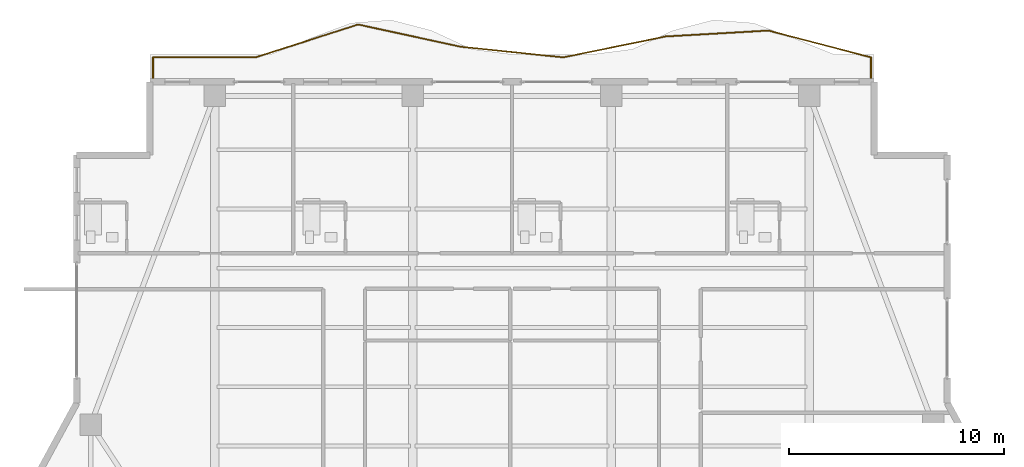
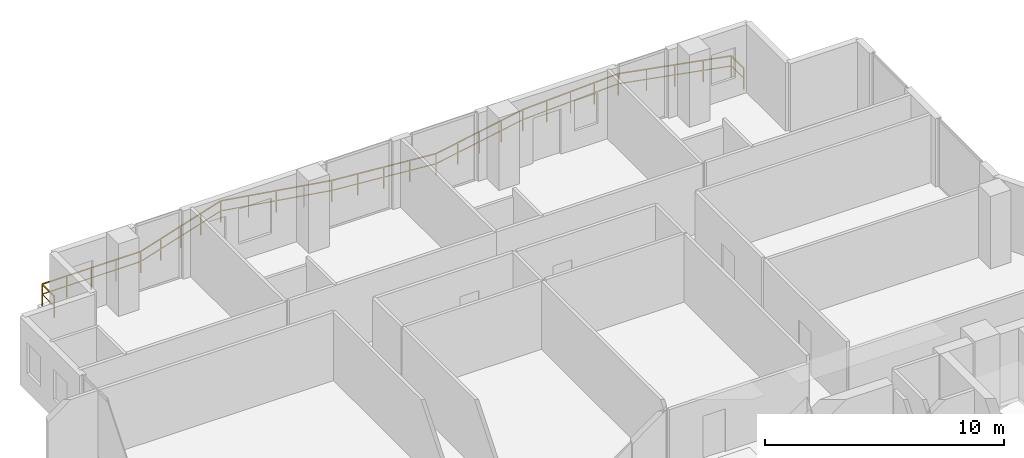
# One storey, part 24 of 25: 1 railing.
"""IFC4 building model written with IfcOpenShell, lengths in metres."""

from ifc_helpers import new_model, si_unit, direction, frame, origin, origin_2d, place, context, subcontext, project, spatial, rectangle, extrude, material, type_object, element, save


model = new_model("IFC4")

# Units and contexts
model_context = context("Model", 3, precision=1e-05, world=origin(), true_north=direction((0.0, 1.0)))
body_context = subcontext(model_context, "Body", "Model", "MODEL_VIEW")
ifc_project = project(units=[si_unit("LENGTHUNIT", "METRE"), si_unit("AREAUNIT", "SQUARE_METRE"), si_unit("VOLUMEUNIT", "CUBIC_METRE"), si_unit("PLANEANGLEUNIT", "RADIAN"), si_unit("MASSUNIT", "GRAM", prefix="KILO")], contexts=[model_context])

# Site, building, storey
site_placement = place(None, origin())
site = spatial("IfcSite", under=ifc_project, at=site_placement, CompositionType="ELEMENT")
building_placement = place(site_placement, origin())
building = spatial("IfcBuilding", under=site, at=building_placement, Name="Zuhayl Quay Hotel", CompositionType="ELEMENT")
storey_placement = place(building_placement, frame((0.0, 0.0, 258.14990234375)))
storey = spatial("IfcBuildingStorey", under=building, at=storey_placement, Name="L65", CompositionType="ELEMENT", Elevation=258.14990234375)

# Railing
ifc_material = material(Name="Anodised Aluminium and Laminated Glass", Category="aluminium")
railing_type = type_object("IfcRailingType", Name="RL_EXT_BAL_1100", PredefinedType="BALUSTRADE", material=ifc_material)
railing_placement = place(storey_placement, frame((-16.659912109375, 39.1201171875, 0.0)))
element("IfcRailing", 1, at=railing_placement, inside=storey, type_object=railing_type, Name="L65 Balcony and Terrace Guard GR_L65_BAL_N", PredefinedType="BALUSTRADE", context=body_context, shape_type="SweptSolid", body=[
    extrude(rectangle(XDim=0.048095703125, YDim=0.048095703125, at=origin_2d()), frame((0.0, 0.0, 1.09619140625), z_axis=(0.0, 1.0, 0.0), x_axis=(-1.0, 0.0, 0.0)), (0.0, 0.0, 1.0), 1.019775390625),
    extrude(rectangle(XDim=0.0361328125, YDim=0.0361328125, at=origin_2d()), frame((0.0, 0.0, 0.58251953125), z_axis=(0.0, 1.0, 0.0), x_axis=(-1.0, 0.0, 0.0)), (0.0, 0.0, 1.0), 1.019775390625),
    extrude(rectangle(XDim=0.048095703125, YDim=0.048095703125, at=origin_2d()), frame((0.0, 1.019775390625, 1.09619140625), z_axis=(1.0, 0.0, 0.0), x_axis=(0.0, 1.0, 0.0)), (0.0, 0.0, 1.0), 4.760009765625),
    extrude(rectangle(XDim=0.0361328125, YDim=0.0361328125, at=origin_2d()), frame((0.0, 1.019775390625, 0.58251953125), z_axis=(1.0, 0.0, 0.0), x_axis=(0.0, 1.0, 0.0)), (0.0, 0.0, 1.0), 4.760009765625),
    extrude(rectangle(XDim=0.048095703125, YDim=0.048095703125, at=origin_2d()), frame((4.760009765625, 1.019775390625, 1.09619140625), z_axis=(0.952396351433, 0.304862575232, 0.0), x_axis=(-0.304862575232, 0.952396351433, 0.0)), (0.0, 0.0, 1.0), 4.998046875),
    extrude(rectangle(XDim=0.0361328125, YDim=0.0361328125, at=origin_2d()), frame((4.760009765625, 1.019775390625, 0.58251953125), z_axis=(0.952396351433, 0.304862575232, 0.0), x_axis=(-0.304862575232, 0.952396351433, 0.0)), (0.0, 0.0, 1.0), 4.998046875),
    extrude(rectangle(XDim=0.048095703125, YDim=0.048095703125, at=origin_2d()), frame((9.52001953125, 2.54345703125, 1.09619140625), z_axis=(0.977264494007, -0.21202384006, 0.0), x_axis=(0.21202384006, 0.977264494007, 0.0)), (0.0, 0.0, 1.0), 4.870849609375),
    extrude(rectangle(XDim=0.0361328125, YDim=0.0361328125, at=origin_2d()), frame((9.52001953125, 2.54345703125, 0.58251953125), z_axis=(0.977264494007, -0.21202384006, 0.0), x_axis=(0.21202384006, 0.977264494007, 0.0)), (0.0, 0.0, 1.0), 4.870849609375),
    extrude(rectangle(XDim=0.048095703125, YDim=0.048095703125, at=origin_2d()), frame((14.280029296875, 1.5107421875, 1.09619140625), z_axis=(0.994722183362, -0.102604960543, 0.0), x_axis=(0.102604960543, 0.994722183362, 0.0)), (0.0, 0.0, 1.0), 4.784912109375),
    extrude(rectangle(XDim=0.0361328125, YDim=0.0361328125, at=origin_2d()), frame((14.280029296875, 1.5107421875, 0.58251953125), z_axis=(0.994722183362, -0.102604960543, 0.0), x_axis=(0.102604960543, 0.994722183362, 0.0)), (0.0, 0.0, 1.0), 4.784912109375),
    extrude(rectangle(XDim=0.048095703125, YDim=0.048095703125, at=origin_2d()), frame((19.039794921875, 1.019775390625, 1.09619140625), z_axis=(0.979882555409, 0.199574992436, 0.0), x_axis=(-0.199574992436, 0.979882555409, 0.0)), (0.0, 0.0, 1.0), 4.857666015625),
    extrude(rectangle(XDim=0.0361328125, YDim=0.0361328125, at=origin_2d()), frame((19.039794921875, 1.019775390625, 0.58251953125), z_axis=(0.979882555409, 0.199574992436, 0.0), x_axis=(-0.199574992436, 0.979882555409, 0.0)), (0.0, 0.0, 1.0), 4.857666015625),
    extrude(rectangle(XDim=0.048095703125, YDim=0.048095703125, at=origin_2d()), frame((23.7998046875, 1.9892578125, 1.09619140625), z_axis=(0.998362907281, 0.057197074803, 0.0), x_axis=(-0.057197074803, 0.998362907281, 0.0)), (0.0, 0.0, 1.0), 4.767822265625),
    extrude(rectangle(XDim=0.0361328125, YDim=0.0361328125, at=origin_2d()), frame((23.7998046875, 1.9892578125, 0.58251953125), z_axis=(0.998362907281, 0.057197074803, 0.0), x_axis=(-0.057197074803, 0.998362907281, 0.0)), (0.0, 0.0, 1.0), 4.767822265625),
    extrude(rectangle(XDim=0.048095703125, YDim=0.048095703125, at=origin_2d()), frame((28.559814453125, 2.261962890625, 1.09619140625), z_axis=(0.967595133756, -0.252506746707, 0.0), x_axis=(0.252506746707, 0.967595133756, 0.0)), (0.0, 0.0, 1.0), 4.91943359375),
    extrude(rectangle(XDim=0.0361328125, YDim=0.0361328125, at=origin_2d()), frame((28.559814453125, 2.261962890625, 0.58251953125), z_axis=(0.967595133756, -0.252506746707, 0.0), x_axis=(0.252506746707, 0.967595133756, 0.0)), (0.0, 0.0, 1.0), 4.91943359375),
    extrude(rectangle(XDim=0.048095703125, YDim=0.048095703125, at=origin_2d()), frame((33.31982421875, 1.019775390625, 1.09619140625), z_axis=(0.0, -1.0, 0.0), x_axis=(1.0, 0.0, 0.0)), (0.0, 0.0, 1.0), 1.019775390625),
    extrude(rectangle(XDim=0.0361328125, YDim=0.0361328125, at=origin_2d()), frame((33.31982421875, 1.019775390625, 0.58251953125), z_axis=(0.0, -1.0, 0.0), x_axis=(1.0, 0.0, 0.0)), (0.0, 0.0, 1.0), 1.019775390625),
    extrude(rectangle(XDim=0.0419921875, YDim=0.0419921875, at=origin_2d()), origin(), (0.0, 0.0, 1.0), 1.072021484375),
    extrude(rectangle(XDim=0.0419921875, YDim=0.0419921875, at=origin_2d()), frame((0.0, 1.019775390625, 0.0)), (0.0, 0.0, 1.0), 1.072021484375),
    extrude(rectangle(XDim=0.0419921875, YDim=0.0419921875, at=origin_2d()), frame((1.18994140625, 1.019775390625, 0.0)), (0.0, 0.0, 1.0), 1.072021484375),
    extrude(rectangle(XDim=0.0419921875, YDim=0.0419921875, at=origin_2d()), frame((2.3798828125, 1.019775390625, 0.0)), (0.0, 0.0, 1.0), 1.072021484375),
    extrude(rectangle(XDim=0.0419921875, YDim=0.0419921875, at=origin_2d()), frame((3.570068359375, 1.019775390625, 0.0)), (0.0, 0.0, 1.0), 1.072021484375),
    extrude(rectangle(XDim=0.0419921875, YDim=0.0419921875, at=origin_2d()), frame((4.760009765625, 1.019775390625, 0.0)), (0.0, 0.0, 1.0), 1.072021484375),
    extrude(rectangle(XDim=0.0419921875, YDim=0.0419921875, at=origin_2d()), frame((5.949951171875, 1.400634765625, 0.0)), (0.0, 0.0, 1.0), 1.072021484375),
    extrude(rectangle(XDim=0.0419921875, YDim=0.0419921875, at=origin_2d()), frame((7.14013671875, 1.78173828125, 0.0)), (0.0, 0.0, 1.0), 1.072021484375),
    extrude(rectangle(XDim=0.0419921875, YDim=0.0419921875, at=origin_2d()), frame((8.330078125, 2.16259765625, 0.0)), (0.0, 0.0, 1.0), 1.072021484375),
    extrude(rectangle(XDim=0.0419921875, YDim=0.0419921875, at=origin_2d()), frame((9.52001953125, 2.54345703125, 0.0)), (0.0, 0.0, 1.0), 1.072021484375),
    extrude(rectangle(XDim=0.0419921875, YDim=0.0419921875, at=origin_2d()), frame((10.7099609375, 2.28515625, 0.0)), (0.0, 0.0, 1.0), 1.072021484375),
    extrude(rectangle(XDim=0.0419921875, YDim=0.0419921875, at=origin_2d()), frame((11.89990234375, 2.027099609375, 0.0)), (0.0, 0.0, 1.0), 1.072021484375),
    extrude(rectangle(XDim=0.0419921875, YDim=0.0419921875, at=origin_2d()), frame((13.090087890625, 1.76904296875, 0.0)), (0.0, 0.0, 1.0), 1.072021484375),
    extrude(rectangle(XDim=0.0419921875, YDim=0.0419921875, at=origin_2d()), frame((14.280029296875, 1.5107421875, 0.0)), (0.0, 0.0, 1.0), 1.072021484375),
    extrude(rectangle(XDim=0.0419921875, YDim=0.0419921875, at=origin_2d()), frame((15.469970703125, 1.387939453125, 0.0)), (0.0, 0.0, 1.0), 1.072021484375),
    extrude(rectangle(XDim=0.0419921875, YDim=0.0419921875, at=origin_2d()), frame((16.659912109375, 1.26513671875, 0.0)), (0.0, 0.0, 1.0), 1.072021484375),
    extrude(rectangle(XDim=0.0419921875, YDim=0.0419921875, at=origin_2d()), frame((17.849853515625, 1.142578125, 0.0)), (0.0, 0.0, 1.0), 1.072021484375),
    extrude(rectangle(XDim=0.0419921875, YDim=0.0419921875, at=origin_2d()), frame((19.039794921875, 1.019775390625, 0.0)), (0.0, 0.0, 1.0), 1.072021484375),
    extrude(rectangle(XDim=0.0419921875, YDim=0.0419921875, at=origin_2d()), frame((20.229736328125, 1.26220703125, 0.0)), (0.0, 0.0, 1.0), 1.072021484375),
    extrude(rectangle(XDim=0.0419921875, YDim=0.0419921875, at=origin_2d()), frame((21.419921875, 1.50439453125, 0.0)), (0.0, 0.0, 1.0), 1.072021484375),
    extrude(rectangle(XDim=0.0419921875, YDim=0.0419921875, at=origin_2d()), frame((22.60986328125, 1.746826171875, 0.0)), (0.0, 0.0, 1.0), 1.072021484375),
    extrude(rectangle(XDim=0.0419921875, YDim=0.0419921875, at=origin_2d()), frame((23.7998046875, 1.9892578125, 0.0)), (0.0, 0.0, 1.0), 1.072021484375),
    extrude(rectangle(XDim=0.0419921875, YDim=0.0419921875, at=origin_2d()), frame((24.98974609375, 2.057373046875, 0.0)), (0.0, 0.0, 1.0), 1.072021484375),
    extrude(rectangle(XDim=0.0419921875, YDim=0.0419921875, at=origin_2d()), frame((26.1796875, 2.12548828125, 0.0)), (0.0, 0.0, 1.0), 1.072021484375),
    extrude(rectangle(XDim=0.0419921875, YDim=0.0419921875, at=origin_2d()), frame((27.369873046875, 2.19384765625, 0.0)), (0.0, 0.0, 1.0), 1.072021484375),
    extrude(rectangle(XDim=0.0419921875, YDim=0.0419921875, at=origin_2d()), frame((28.559814453125, 2.261962890625, 0.0)), (0.0, 0.0, 1.0), 1.072021484375),
    extrude(rectangle(XDim=0.0419921875, YDim=0.0419921875, at=origin_2d()), frame((29.749755859375, 1.951416015625, 0.0)), (0.0, 0.0, 1.0), 1.072021484375),
    extrude(rectangle(XDim=0.0419921875, YDim=0.0419921875, at=origin_2d()), frame((30.93994140625, 1.640869140625, 0.0)), (0.0, 0.0, 1.0), 1.072021484375),
    extrude(rectangle(XDim=0.0419921875, YDim=0.0419921875, at=origin_2d()), frame((32.1298828125, 1.330322265625, 0.0)), (0.0, 0.0, 1.0), 1.072021484375),
    extrude(rectangle(XDim=0.0419921875, YDim=0.0419921875, at=origin_2d()), frame((33.31982421875, 1.019775390625, 0.0)), (0.0, 0.0, 1.0), 1.072021484375),
    extrude(rectangle(XDim=0.0419921875, YDim=0.0419921875, at=origin_2d()), frame((33.31982421875, 0.0, 0.0)), (0.0, 0.0, 1.0), 1.072021484375),
])

save(model, "model.ifc")
